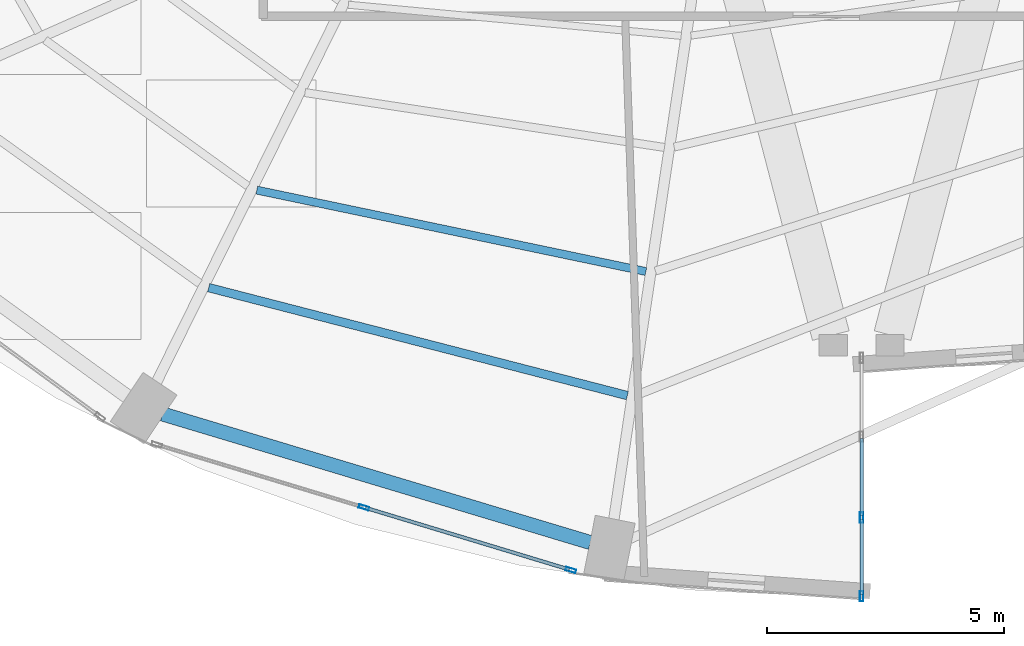
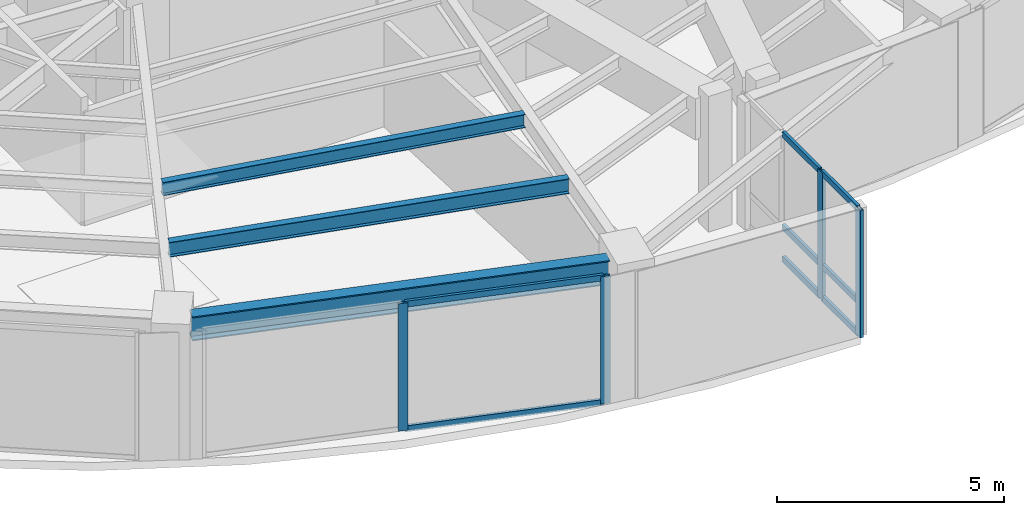
# One storey, part 5 of 25: 12 members, 3 beams, 2 elements without a shape of their own.
"""IFC4 building model written with IfcOpenShell, lengths in metres."""

from ifc_helpers import new_model, si_unit, direction, frame, origin, origin_2d, place, context, subcontext, project, spatial, hollow_rectangle, i_section, extrude, material, layer, layer_set, material_profile, profile_set, type_object, element, aggregate, save


model = new_model("IFC4")

# Units and contexts
model_context = context("Model", 3, precision=1e-05, world=origin(), true_north=direction((0.0, 1.0)))
body_context = subcontext(model_context, "Body", "Model", "MODEL_VIEW")
ifc_project = project(units=[si_unit("LENGTHUNIT", "METRE"), si_unit("AREAUNIT", "SQUARE_METRE"), si_unit("VOLUMEUNIT", "CUBIC_METRE"), si_unit("PLANEANGLEUNIT", "RADIAN"), si_unit("MASSUNIT", "GRAM", prefix="KILO")], contexts=[model_context])

# Site, building, storey
site_placement = place(None, origin())
site = spatial("IfcSite", under=ifc_project, at=site_placement, CompositionType="ELEMENT")
building_placement = place(site_placement, origin())
building = spatial("IfcBuilding", under=site, at=building_placement, Name="Lazwardi Medical Tower", CompositionType="ELEMENT")
storey_placement = place(building_placement, frame((0.0, 0.0, 47.087890625)))
storey = spatial("IfcBuildingStorey", under=building, at=storey_placement, Name="L11", CompositionType="ELEMENT", Elevation=47.087890625)

# Beams
ifc_material_1 = material(Name="Steel S355", Category="steel")
ifc_material_profile_1 = material_profile(ifc_material_1, i_section(OverallWidth=0.300048828125, OverallDepth=0.64990234375, WebThickness=0.01611328125, FlangeThickness=0.031005859375, at=origin_2d()), Name="HEB 650")
ifc_profile_set_1 = profile_set([ifc_material_profile_1], Name="Steel S355")
beam_type_1 = type_object("IfcBeamType", Name="BM-RB-Z1", PredefinedType="BEAM", material=ifc_profile_set_1)
beam_1_placement = place(storey_placement, frame((21.22119140625, 8.9951171875, 3.10302734375), z_axis=(0.957695289269, -0.287784177662, 0.0), x_axis=(0.287784177662, 0.957695289269, 0.0)))
element("IfcBeam", 1, at=beam_1_placement, inside=storey, type_object=beam_type_1, Name="Ring beam RB-02 B15 L11", PredefinedType="BEAM", context=body_context, shape_type="SweptSolid", body=[
    extrude(i_section(OverallWidth=0.300048828125, OverallDepth=0.64990234375, WebThickness=0.01611328125, FlangeThickness=0.031005859375, at=origin_2d()), origin(), (0.0, 0.0, 1.0), 9.445556640625),
])
ifc_material_profile_2 = material_profile(ifc_material_1, i_section(OverallWidth=0.179931640625, OverallDepth=0.39990234375, WebThickness=0.008544921875, FlangeThickness=0.013427734375, at=origin_2d()), Name="IPE 400")
ifc_profile_set_2 = profile_set([ifc_material_profile_2], Name="Steel S355")
beam_type_2 = type_object("IfcBeamType", Name="BM-SJ-01", PredefinedType="JOIST", material=ifc_profile_set_2)
beam_2_placement = place(storey_placement, frame((22.195068359375, 11.666748046875, 3.22802734375), z_axis=(0.968316918308, -0.249724539682, 0.0), x_axis=(0.249724539682, 0.968316918308, 0.0)))
element("IfcBeam", 2, at=beam_2_placement, inside=storey, type_object=beam_type_2, Name="Secondary joist SJ-01 R1 B15 L11", PredefinedType="JOIST", context=body_context, shape_type="SweptSolid", body=[
    extrude(i_section(OverallWidth=0.179931640625, OverallDepth=0.39990234375, WebThickness=0.008544921875, FlangeThickness=0.013427734375, at=origin_2d()), origin(), (0.0, 0.0, 1.0), 9.140869140625),
])
ifc_material_profile_3 = material_profile(ifc_material_1, i_section(OverallWidth=0.169921875, OverallDepth=0.360107421875, WebThickness=0.008056640625, FlangeThickness=0.0126953125, at=origin_2d()), Name="IPE 360")
ifc_profile_set_3 = profile_set([ifc_material_profile_3], Name="Steel S355")
beam_type_3 = type_object("IfcBeamType", Name="BM-SJ-02", PredefinedType="JOIST", material=ifc_profile_set_3)
beam_3_placement = place(storey_placement, frame((23.213623046875, 13.728271484375, 3.248046875), z_axis=(0.978809182847, -0.204774470026, 0.0), x_axis=(0.204774470026, 0.978809182847, 0.0)))
element("IfcBeam", 3, at=beam_3_placement, inside=storey, type_object=beam_type_3, Name="Secondary joist SJ-02 R2 B15 L11", PredefinedType="JOIST", context=body_context, shape_type="SweptSolid", body=[
    extrude(i_section(OverallWidth=0.169921875, OverallDepth=0.360107421875, WebThickness=0.008056640625, FlangeThickness=0.0126953125, at=origin_2d()), origin(), (0.0, 0.0, 1.0), 8.40283203125),
])

# Curtain wall, members
ifc_material_2 = material(Name="Anodised bronze aluminium and solar control glazing", Category="aluminium")
ifc_layer_1 = layer(ifc_material_2, 0.199951171875)
ifc_layer_set_1 = layer_set([ifc_layer_1], Name="Anodised bronze aluminium and solar control glazing")
curtain_wall_type_1 = type_object("IfcCurtainWallType", Name="CW-SYS-02", PredefinedType="NOTDEFINED", material=ifc_layer_set_1)
curtain_wall_1_placement = place(storey_placement, origin())
curtain_wall_1 = element("IfcCurtainWall", 4, at=curtain_wall_1_placement, inside=storey, type_object=curtain_wall_type_1, Name="L11 Unitised bronze curtain wall CW-02", PredefinedType="NOTDEFINED")
ifc_material_3 = material(Name="Anodised bronze aluminium", Category="aluminium")
ifc_material_profile_4 = material_profile(ifc_material_3, hollow_rectangle(XDim=0.074951171875, YDim=0.219970703125, WallThickness=0.00390625, at=origin_2d()), Name="ALU-MULLION 220x75x4")
ifc_profile_set_4 = profile_set([ifc_material_profile_4], Name="Anodised bronze aluminium")
member_type_1 = type_object("IfcMemberType", Name="CW-MUL-01", PredefinedType="MULLION", material=ifc_profile_set_4)
member_1_placement = place(storey_placement, frame((25.476806640625, 7.021484375, 0.0), z_axis=(0.0, 0.0, 1.0), x_axis=(0.2898956909, 0.957058247129, 0.0)))
member_1 = element("IfcMember", 5, at=member_1_placement, type_object=member_type_1, Name="CW-02 mullion 2", PredefinedType="MULLION", context=body_context, shape_type="SweptSolid", body=[
    extrude(hollow_rectangle(XDim=0.074951171875, YDim=0.219970703125, WallThickness=0.00390625, at=origin_2d()), origin(), (0.0, 0.0, 1.0), 3.42822265625),
])
member_2_placement = place(storey_placement, frame((29.85205078125, 5.6962890625, 0.0), z_axis=(0.0, 0.0, 1.0), x_axis=(0.2898956909, 0.957058247129, 0.0)))
member_2 = element("IfcMember", 6, at=member_2_placement, type_object=member_type_1, Name="CW-02 mullion 3", PredefinedType="MULLION", context=body_context, shape_type="SweptSolid", body=[
    extrude(hollow_rectangle(XDim=0.074951171875, YDim=0.219970703125, WallThickness=0.00390625, at=origin_2d()), origin(), (0.0, 0.0, 1.0), 3.42822265625),
])

ifc_layer_2 = layer(ifc_material_2, 0.2099609375)
ifc_layer_set_2 = layer_set([ifc_layer_2], Name="Anodised bronze aluminium and solar control glazing")
curtain_wall_type_2 = type_object("IfcCurtainWallType", Name="CW-SYS-06", PredefinedType="NOTDEFINED", material=ifc_layer_set_2)
curtain_wall_2_placement = place(storey_placement, origin())
curtain_wall_2 = element("IfcCurtainWall", 7, at=curtain_wall_2_placement, inside=storey, type_object=curtain_wall_type_2, Name="L11 Unitised bronze curtain wall CW-06", PredefinedType="NOTDEFINED")
member_3_placement = place(storey_placement, frame((36.0, 5.137451171875, 0.0), z_axis=(0.0, 0.0, 1.0), x_axis=(-1.0, 0.0, 0.0)))
member_3 = element("IfcMember", 8, at=member_3_placement, type_object=member_type_1, Name="CW-06 mullion 1", PredefinedType="MULLION", context=body_context, shape_type="SweptSolid", body=[
    extrude(hollow_rectangle(XDim=0.074951171875, YDim=0.219970703125, WallThickness=0.00390625, at=origin_2d()), origin(), (0.0, 0.0, 1.0), 3.42822265625),
])
member_4_placement = place(storey_placement, frame((36.0, 6.806640625, 0.0), z_axis=(0.0, 0.0, 1.0), x_axis=(-1.0, 0.0, 0.0)))
member_4 = element("IfcMember", 9, at=member_4_placement, type_object=member_type_1, Name="CW-06 mullion 2", PredefinedType="MULLION", context=body_context, shape_type="SweptSolid", body=[
    extrude(hollow_rectangle(XDim=0.074951171875, YDim=0.219970703125, WallThickness=0.00390625, at=origin_2d()), origin(), (0.0, 0.0, 1.0), 3.42822265625),
])

# Member
ifc_material_profile_5 = material_profile(ifc_material_3, hollow_rectangle(XDim=0.074951171875, YDim=0.159912109375, WallThickness=0.00390625, at=origin_2d()), Name="ALU-TRANSOM 160x75x4")
ifc_profile_set_5 = profile_set([ifc_material_profile_5], Name="Anodised bronze aluminium")
member_type_2 = type_object("IfcMemberType", Name="CW-TRN-01", PredefinedType="USERDEFINED", material=ifc_profile_set_5)
member_5_placement = place(storey_placement, frame((25.5126953125, 7.0107421875, 0.03759765625), z_axis=(0.957047233423, -0.28993204893, 0.0), x_axis=(0.28993204893, 0.957047233423, 0.0)))
member_5 = element("IfcMember", 10, at=member_5_placement, type_object=member_type_2, Name="CW-02 transom 2.1", ObjectType="TRANSOM", PredefinedType="USERDEFINED", context=body_context, shape_type="SweptSolid", body=[
    extrude(hollow_rectangle(XDim=0.074951171875, YDim=0.159912109375, WallThickness=0.00390625, at=origin_2d()), origin(), (0.0, 0.0, 1.0), 4.49658203125),
])

member_6_placement = place(storey_placement, frame((25.5126953125, 7.0107421875, 3.390625), z_axis=(0.957047233423, -0.28993204893, 0.0), x_axis=(0.28993204893, 0.957047233423, 0.0)))
member_6 = element("IfcMember", 11, at=member_6_placement, type_object=member_type_2, Name="CW-02 transom 2.2", ObjectType="TRANSOM", PredefinedType="USERDEFINED", context=body_context, shape_type="SweptSolid", body=[
    extrude(hollow_rectangle(XDim=0.074951171875, YDim=0.159912109375, WallThickness=0.00390625, at=origin_2d()), origin(), (0.0, 0.0, 1.0), 4.49658203125),
])

aggregate(curtain_wall_1, [member_1, member_2, member_5, member_6])

member_7_placement = place(storey_placement, frame((36.0, 5.175048828125, 0.03759765625), z_axis=(0.0, 1.0, 0.0), x_axis=(-1.0, 0.0, 0.0)))
member_7 = element("IfcMember", 12, at=member_7_placement, type_object=member_type_2, Name="CW-06 transom 1.1", ObjectType="TRANSOM", PredefinedType="USERDEFINED", context=body_context, shape_type="SweptSolid", body=[
    extrude(hollow_rectangle(XDim=0.074951171875, YDim=0.159912109375, WallThickness=0.00390625, at=origin_2d()), origin(), (0.0, 0.0, 1.0), 1.59423828125),
])

member_8_placement = place(storey_placement, frame((36.0, 5.175048828125, 0.900146484375), z_axis=(0.0, 1.0, 0.0), x_axis=(-1.0, 0.0, 0.0)))
member_8 = element("IfcMember", 13, at=member_8_placement, type_object=member_type_2, Name="CW-06 transom 1.2", ObjectType="TRANSOM", PredefinedType="USERDEFINED", context=body_context, shape_type="SweptSolid", body=[
    extrude(hollow_rectangle(XDim=0.074951171875, YDim=0.159912109375, WallThickness=0.00390625, at=origin_2d()), origin(), (0.0, 0.0, 1.0), 1.59423828125),
])

member_9_placement = place(storey_placement, frame((36.0, 5.175048828125, 3.390625), z_axis=(0.0, 1.0, 0.0), x_axis=(-1.0, 0.0, 0.0)))
member_9 = element("IfcMember", 14, at=member_9_placement, type_object=member_type_2, Name="CW-06 transom 1.3", ObjectType="TRANSOM", PredefinedType="USERDEFINED", context=body_context, shape_type="SweptSolid", body=[
    extrude(hollow_rectangle(XDim=0.074951171875, YDim=0.159912109375, WallThickness=0.00390625, at=origin_2d()), origin(), (0.0, 0.0, 1.0), 1.59423828125),
])

member_10_placement = place(storey_placement, frame((36.0, 6.84423828125, 0.03759765625), z_axis=(0.0, 1.0, 0.0), x_axis=(-1.0, 0.0, 0.0)))
member_10 = element("IfcMember", 15, at=member_10_placement, type_object=member_type_2, Name="CW-06 transom 2.1", ObjectType="TRANSOM", PredefinedType="USERDEFINED", context=body_context, shape_type="SweptSolid", body=[
    extrude(hollow_rectangle(XDim=0.074951171875, YDim=0.159912109375, WallThickness=0.00390625, at=origin_2d()), origin(), (0.0, 0.0, 1.0), 1.631591796875),
])

member_11_placement = place(storey_placement, frame((36.0, 6.84423828125, 0.900146484375), z_axis=(0.0, 1.0, 0.0), x_axis=(-1.0, 0.0, 0.0)))
member_11 = element("IfcMember", 16, at=member_11_placement, type_object=member_type_2, Name="CW-06 transom 2.2", ObjectType="TRANSOM", PredefinedType="USERDEFINED", context=body_context, shape_type="SweptSolid", body=[
    extrude(hollow_rectangle(XDim=0.074951171875, YDim=0.159912109375, WallThickness=0.00390625, at=origin_2d()), origin(), (0.0, 0.0, 1.0), 1.631591796875),
])

member_12_placement = place(storey_placement, frame((36.0, 6.84423828125, 3.390625), z_axis=(0.0, 1.0, 0.0), x_axis=(-1.0, 0.0, 0.0)))
member_12 = element("IfcMember", 17, at=member_12_placement, type_object=member_type_2, Name="CW-06 transom 2.3", ObjectType="TRANSOM", PredefinedType="USERDEFINED", context=body_context, shape_type="SweptSolid", body=[
    extrude(hollow_rectangle(XDim=0.074951171875, YDim=0.159912109375, WallThickness=0.00390625, at=origin_2d()), origin(), (0.0, 0.0, 1.0), 1.631591796875),
])

aggregate(curtain_wall_2, [member_3, member_4, member_7, member_8, member_9, member_10, member_11, member_12])

save(model, "model.ifc")
